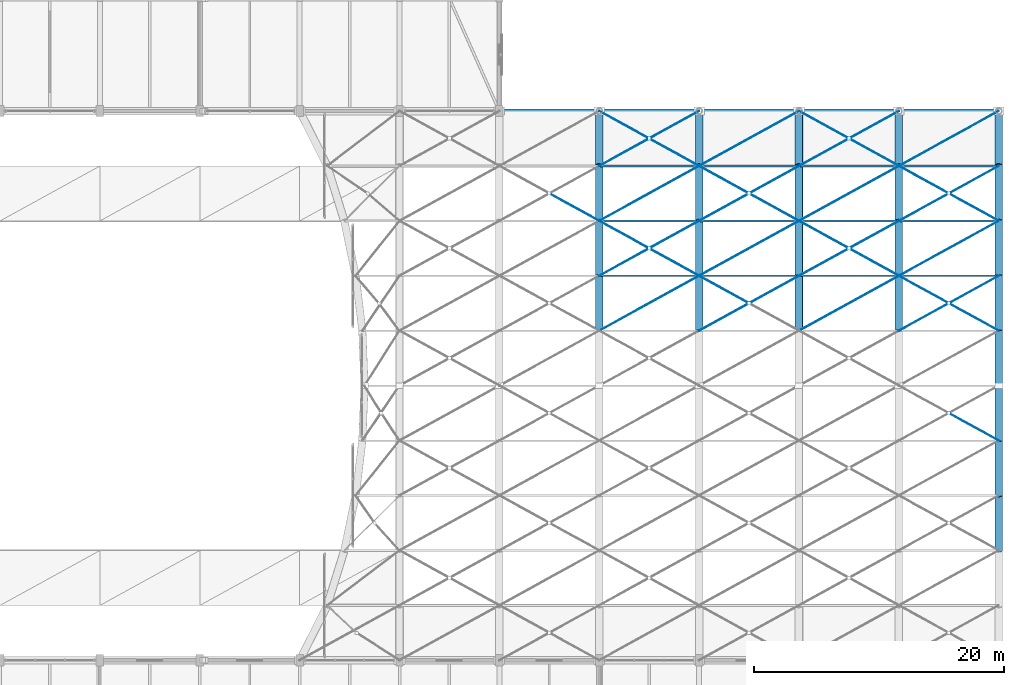
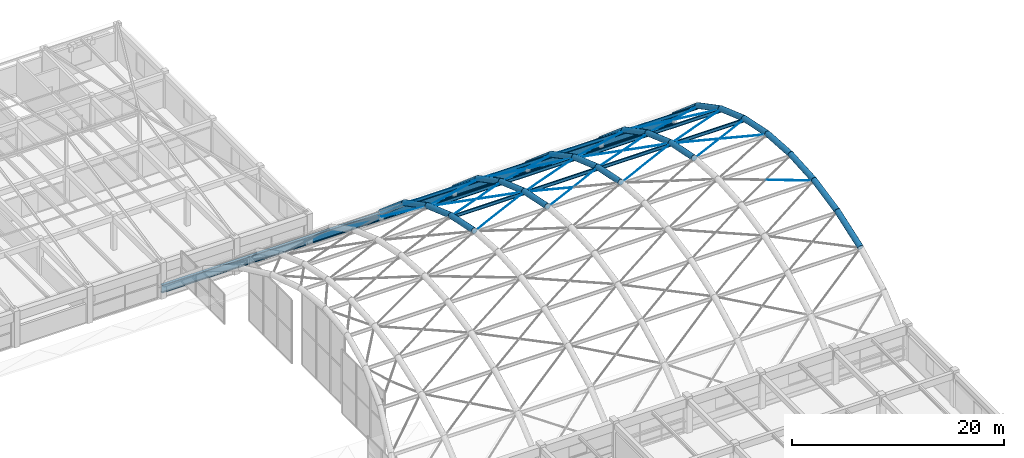
# One storey, part 85 of 126: 37 beams, 33 members.
"""IFC4 building model written with IfcOpenShell, lengths in metres."""

from ifc_helpers import new_model, si_unit, direction, frame, origin, origin_2d, place, context, subcontext, project, spatial, circle, hollow_circle, i_section, extrude, material, material_profile, profile_set, type_object, element, save


model = new_model("IFC4")

# Units and contexts
model_context = context("Model", 3, precision=1e-05, world=origin(), true_north=direction((0.0, 1.0)))
body_context = subcontext(model_context, "Body", "Model", "MODEL_VIEW")
ifc_project = project(units=[si_unit("LENGTHUNIT", "METRE"), si_unit("AREAUNIT", "SQUARE_METRE"), si_unit("VOLUMEUNIT", "CUBIC_METRE"), si_unit("PLANEANGLEUNIT", "RADIAN"), si_unit("MASSUNIT", "GRAM", prefix="KILO")], contexts=[model_context])

# Site, building, storey
site_placement = place(None, origin())
site = spatial("IfcSite", under=ifc_project, at=site_placement, CompositionType="ELEMENT")
building_placement = place(site_placement, origin())
building = spatial("IfcBuilding", under=site, at=building_placement, Name="Varnabhumi Central Station", CompositionType="ELEMENT")
storey_placement = place(building_placement, frame((0.0, 0.0, 16.199951171875)))
storey = spatial("IfcBuildingStorey", under=building, at=storey_placement, Name="L03", CompositionType="ELEMENT", Elevation=16.199951171875)

# Beams
ifc_material_1 = material(Name="Structural steel E450", Category="steel")
ifc_material_profile_1 = material_profile(ifc_material_1, hollow_circle(Radius=0.304931640625, WallThickness=0.02490234375, at=origin_2d()), Name="Structural steel E450", Category="steel")
ifc_profile_set_1 = profile_set([ifc_material_profile_1], Name="Structural steel E450")
beam_type_1 = type_object("IfcBeamType", Name="BM-ARCH-CHS610", PredefinedType="BEAM", material=ifc_profile_set_1)
beam_1_placement = place(storey_placement, frame((152.0, 62.39990234375, 9.85302734375), z_axis=(0.0, 0.979624368007, -0.200838486367), x_axis=(-1.0, 0.0, 0.0)))
element("IfcBeam", 1, at=beam_1_placement, inside=storey, type_object=beam_type_1, Name="Platform Train-Shed Vault Arch Rib 4 Seg 7", PredefinedType="BEAM", context=body_context, shape_type="SweptSolid", body=[
    extrude(hollow_circle(Radius=0.304931640625, WallThickness=0.02490234375, at=origin_2d()), origin(), (0.0, 0.0, 1.0), 4.49169921875),
])
beam_2_placement = place(storey_placement, frame((152.0, 66.800048828125, 8.950927734375), z_axis=(0.0, 0.943395522007, -0.331669849486), x_axis=(-1.0, 0.0, 0.0)))
element("IfcBeam", 2, at=beam_2_placement, inside=storey, type_object=beam_type_1, Name="Platform Train-Shed Vault Arch Rib 4 Seg 8", PredefinedType="BEAM", context=body_context, shape_type="SweptSolid", body=[
    extrude(hollow_circle(Radius=0.304931640625, WallThickness=0.02490234375, at=origin_2d()), origin(), (0.0, 0.0, 1.0), 4.663818359375),
])
beam_3_placement = place(storey_placement, frame((152.0, 71.199951171875, 7.404052734375), z_axis=(0.0, 0.88562177592, -0.464407224337), x_axis=(-1.0, 0.0, 0.0)))
element("IfcBeam", 3, at=beam_3_placement, inside=storey, type_object=beam_type_1, Name="Platform Train-Shed Vault Arch Rib 4 Seg 9", PredefinedType="BEAM", context=body_context, shape_type="SweptSolid", body=[
    extrude(hollow_circle(Radius=0.304931640625, WallThickness=0.02490234375, at=origin_2d()), origin(), (0.0, 0.0, 1.0), 4.968505859375),
])
beam_4_placement = place(storey_placement, frame((152.0, 75.60009765625, 5.0966796875), z_axis=(0.0, 0.761369888875, -0.648317740244), x_axis=(-1.0, 0.0, 0.0)))
element("IfcBeam", 4, at=beam_4_placement, inside=storey, type_object=beam_type_1, Name="Platform Train-Shed Vault Arch Rib 4 Seg 10", PredefinedType="BEAM", context=body_context, shape_type="SweptSolid", body=[
    extrude(hollow_circle(Radius=0.304931640625, WallThickness=0.02490234375, at=origin_2d()), origin(), (0.0, 0.0, 1.0), 5.77880859375),
])
beam_5_placement = place(storey_placement, frame((160.0, 62.39990234375, 9.85302734375), z_axis=(0.0, 0.979624368007, -0.200838486367), x_axis=(-1.0, 0.0, 0.0)))
element("IfcBeam", 5, at=beam_5_placement, inside=storey, type_object=beam_type_1, Name="Platform Train-Shed Vault Arch Rib 5 Seg 7", PredefinedType="BEAM", context=body_context, shape_type="SweptSolid", body=[
    extrude(hollow_circle(Radius=0.304931640625, WallThickness=0.02490234375, at=origin_2d()), origin(), (0.0, 0.0, 1.0), 4.49169921875),
])
beam_6_placement = place(storey_placement, frame((160.0, 66.800048828125, 8.950927734375), z_axis=(0.0, 0.943395522007, -0.331669849486), x_axis=(-1.0, 0.0, 0.0)))
element("IfcBeam", 6, at=beam_6_placement, inside=storey, type_object=beam_type_1, Name="Platform Train-Shed Vault Arch Rib 5 Seg 8", PredefinedType="BEAM", context=body_context, shape_type="SweptSolid", body=[
    extrude(hollow_circle(Radius=0.304931640625, WallThickness=0.02490234375, at=origin_2d()), origin(), (0.0, 0.0, 1.0), 4.663818359375),
])
beam_7_placement = place(storey_placement, frame((160.0, 71.199951171875, 7.404052734375), z_axis=(0.0, 0.88562177592, -0.464407224337), x_axis=(-1.0, 0.0, 0.0)))
element("IfcBeam", 7, at=beam_7_placement, inside=storey, type_object=beam_type_1, Name="Platform Train-Shed Vault Arch Rib 5 Seg 9", PredefinedType="BEAM", context=body_context, shape_type="SweptSolid", body=[
    extrude(hollow_circle(Radius=0.304931640625, WallThickness=0.02490234375, at=origin_2d()), origin(), (0.0, 0.0, 1.0), 4.968505859375),
])
beam_8_placement = place(storey_placement, frame((160.0, 75.60009765625, 5.0966796875), z_axis=(0.0, 0.761369888875, -0.648317740244), x_axis=(-1.0, 0.0, 0.0)))
element("IfcBeam", 8, at=beam_8_placement, inside=storey, type_object=beam_type_1, Name="Platform Train-Shed Vault Arch Rib 5 Seg 10", PredefinedType="BEAM", context=body_context, shape_type="SweptSolid", body=[
    extrude(hollow_circle(Radius=0.304931640625, WallThickness=0.02490234375, at=origin_2d()), origin(), (0.0, 0.0, 1.0), 5.77880859375),
])
beam_9_placement = place(storey_placement, frame((168.0, 62.39990234375, 9.85302734375), z_axis=(0.0, 0.979624368007, -0.200838486367), x_axis=(-1.0, 0.0, 0.0)))
element("IfcBeam", 9, at=beam_9_placement, inside=storey, type_object=beam_type_1, Name="Platform Train-Shed Vault Arch Rib 6 Seg 7", PredefinedType="BEAM", context=body_context, shape_type="SweptSolid", body=[
    extrude(hollow_circle(Radius=0.304931640625, WallThickness=0.02490234375, at=origin_2d()), origin(), (0.0, 0.0, 1.0), 4.49169921875),
])
beam_10_placement = place(storey_placement, frame((168.0, 66.800048828125, 8.950927734375), z_axis=(0.0, 0.943395522007, -0.331669849486), x_axis=(-1.0, 0.0, 0.0)))
element("IfcBeam", 10, at=beam_10_placement, inside=storey, type_object=beam_type_1, Name="Platform Train-Shed Vault Arch Rib 6 Seg 8", PredefinedType="BEAM", context=body_context, shape_type="SweptSolid", body=[
    extrude(hollow_circle(Radius=0.304931640625, WallThickness=0.02490234375, at=origin_2d()), origin(), (0.0, 0.0, 1.0), 4.663818359375),
])
beam_11_placement = place(storey_placement, frame((168.0, 71.199951171875, 7.404052734375), z_axis=(0.0, 0.88562177592, -0.464407224337), x_axis=(-1.0, 0.0, 0.0)))
element("IfcBeam", 11, at=beam_11_placement, inside=storey, type_object=beam_type_1, Name="Platform Train-Shed Vault Arch Rib 6 Seg 9", PredefinedType="BEAM", context=body_context, shape_type="SweptSolid", body=[
    extrude(hollow_circle(Radius=0.304931640625, WallThickness=0.02490234375, at=origin_2d()), origin(), (0.0, 0.0, 1.0), 4.968505859375),
])
beam_12_placement = place(storey_placement, frame((168.0, 75.60009765625, 5.0966796875), z_axis=(0.0, 0.761369888875, -0.648317740244), x_axis=(-1.0, 0.0, 0.0)))
element("IfcBeam", 12, at=beam_12_placement, inside=storey, type_object=beam_type_1, Name="Platform Train-Shed Vault Arch Rib 6 Seg 10", PredefinedType="BEAM", context=body_context, shape_type="SweptSolid", body=[
    extrude(hollow_circle(Radius=0.304931640625, WallThickness=0.02490234375, at=origin_2d()), origin(), (0.0, 0.0, 1.0), 5.77880859375),
])
beam_13_placement = place(storey_placement, frame((176.0, 62.39990234375, 9.85302734375), z_axis=(0.0, 0.979624368007, -0.200838486367), x_axis=(-1.0, 0.0, 0.0)))
element("IfcBeam", 13, at=beam_13_placement, inside=storey, type_object=beam_type_1, Name="Platform Train-Shed Vault Arch Rib 7 Seg 7", PredefinedType="BEAM", context=body_context, shape_type="SweptSolid", body=[
    extrude(hollow_circle(Radius=0.304931640625, WallThickness=0.02490234375, at=origin_2d()), origin(), (0.0, 0.0, 1.0), 4.49169921875),
])
beam_14_placement = place(storey_placement, frame((176.0, 66.800048828125, 8.950927734375), z_axis=(0.0, 0.943395522007, -0.331669849486), x_axis=(-1.0, 0.0, 0.0)))
element("IfcBeam", 14, at=beam_14_placement, inside=storey, type_object=beam_type_1, Name="Platform Train-Shed Vault Arch Rib 7 Seg 8", PredefinedType="BEAM", context=body_context, shape_type="SweptSolid", body=[
    extrude(hollow_circle(Radius=0.304931640625, WallThickness=0.02490234375, at=origin_2d()), origin(), (0.0, 0.0, 1.0), 4.663818359375),
])
beam_15_placement = place(storey_placement, frame((176.0, 71.199951171875, 7.404052734375), z_axis=(0.0, 0.88562177592, -0.464407224337), x_axis=(-1.0, 0.0, 0.0)))
element("IfcBeam", 15, at=beam_15_placement, inside=storey, type_object=beam_type_1, Name="Platform Train-Shed Vault Arch Rib 7 Seg 9", PredefinedType="BEAM", context=body_context, shape_type="SweptSolid", body=[
    extrude(hollow_circle(Radius=0.304931640625, WallThickness=0.02490234375, at=origin_2d()), origin(), (0.0, 0.0, 1.0), 4.968505859375),
])
beam_16_placement = place(storey_placement, frame((176.0, 75.60009765625, 5.0966796875), z_axis=(0.0, 0.761369888875, -0.648317740244), x_axis=(-1.0, 0.0, 0.0)))
element("IfcBeam", 16, at=beam_16_placement, inside=storey, type_object=beam_type_1, Name="Platform Train-Shed Vault Arch Rib 7 Seg 10", PredefinedType="BEAM", context=body_context, shape_type="SweptSolid", body=[
    extrude(hollow_circle(Radius=0.304931640625, WallThickness=0.02490234375, at=origin_2d()), origin(), (0.0, 0.0, 1.0), 5.77880859375),
])
beam_17_placement = place(storey_placement, frame((184.0, 44.800048828125, 7.404052734375), z_axis=(0.0, 0.943395522007, 0.331669849486), x_axis=(-1.0, 0.0, 0.0)))
element("IfcBeam", 17, at=beam_17_placement, inside=storey, type_object=beam_type_1, Name="Platform Train-Shed Vault Arch Rib 8 Seg 3", PredefinedType="BEAM", context=body_context, shape_type="SweptSolid", body=[
    extrude(hollow_circle(Radius=0.304931640625, WallThickness=0.02490234375, at=origin_2d()), origin(), (0.0, 0.0, 1.0), 4.663818359375),
])
beam_18_placement = place(storey_placement, frame((184.0, 49.199951171875, 8.950927734375), z_axis=(0.0, 0.979624368007, 0.200838486367), x_axis=(-1.0, 0.0, 0.0)))
element("IfcBeam", 18, at=beam_18_placement, inside=storey, type_object=beam_type_1, Name="Platform Train-Shed Vault Arch Rib 8 Seg 4", PredefinedType="BEAM", context=body_context, shape_type="SweptSolid", body=[
    extrude(hollow_circle(Radius=0.304931640625, WallThickness=0.02490234375, at=origin_2d()), origin(), (0.0, 0.0, 1.0), 4.49169921875),
])
for number, where, z_axis, x_axis, name in (
    (19, (184.0, 53.60009765625, 9.85302734375), (0.0, 0.997727714155, 0.067375131957), (-1.0, 0.0, 0.0), "Platform Train-Shed Vault Arch Rib 8 Seg 5"),
    (20, (184.0, 58.0, 10.150146484375), (0.0, 0.997727714155, -0.067375131957), (-1.0, 0.0, 0.0), "Platform Train-Shed Vault Arch Rib 8 Seg 6"),
):
    element("IfcBeam", number, at=place(storey_placement, frame(where, z_axis=z_axis, x_axis=x_axis)), inside=storey, type_object=beam_type_1, Name=name, PredefinedType="BEAM", context=body_context, shape_type="SweptSolid", body=[
        extrude(hollow_circle(Radius=0.304931640625, WallThickness=0.02490234375, at=origin_2d()), origin(), (0.0, 0.0, 1.0), 4.409912109375),
    ])
beam_19_placement = place(storey_placement, frame((184.0, 62.39990234375, 9.85302734375), z_axis=(0.0, 0.979624368007, -0.200838486367), x_axis=(-1.0, 0.0, 0.0)))
element("IfcBeam", 21, at=beam_19_placement, inside=storey, type_object=beam_type_1, Name="Platform Train-Shed Vault Arch Rib 8 Seg 7", PredefinedType="BEAM", context=body_context, shape_type="SweptSolid", body=[
    extrude(hollow_circle(Radius=0.304931640625, WallThickness=0.02490234375, at=origin_2d()), origin(), (0.0, 0.0, 1.0), 4.49169921875),
])
beam_20_placement = place(storey_placement, frame((184.0, 66.800048828125, 8.950927734375), z_axis=(0.0, 0.943395522007, -0.331669849486), x_axis=(-1.0, 0.0, 0.0)))
element("IfcBeam", 22, at=beam_20_placement, inside=storey, type_object=beam_type_1, Name="Platform Train-Shed Vault Arch Rib 8 Seg 8", PredefinedType="BEAM", context=body_context, shape_type="SweptSolid", body=[
    extrude(hollow_circle(Radius=0.304931640625, WallThickness=0.02490234375, at=origin_2d()), origin(), (0.0, 0.0, 1.0), 4.663818359375),
])
beam_21_placement = place(storey_placement, frame((184.0, 71.199951171875, 7.404052734375), z_axis=(0.0, 0.88562177592, -0.464407224337), x_axis=(-1.0, 0.0, 0.0)))
element("IfcBeam", 23, at=beam_21_placement, inside=storey, type_object=beam_type_1, Name="Platform Train-Shed Vault Arch Rib 8 Seg 9", PredefinedType="BEAM", context=body_context, shape_type="SweptSolid", body=[
    extrude(hollow_circle(Radius=0.304931640625, WallThickness=0.02490234375, at=origin_2d()), origin(), (0.0, 0.0, 1.0), 4.968505859375),
])
beam_22_placement = place(storey_placement, frame((184.0, 75.60009765625, 5.0966796875), z_axis=(0.0, 0.761369888875, -0.648317740244), x_axis=(-1.0, 0.0, 0.0)))
element("IfcBeam", 24, at=beam_22_placement, inside=storey, type_object=beam_type_1, Name="Platform Train-Shed Vault Arch Rib 8 Seg 10", PredefinedType="BEAM", context=body_context, shape_type="SweptSolid", body=[
    extrude(hollow_circle(Radius=0.304931640625, WallThickness=0.02490234375, at=origin_2d()), origin(), (0.0, 0.0, 1.0), 5.77880859375),
])
ifc_material_profile_2 = material_profile(ifc_material_1, i_section(OverallWidth=0.300048828125, OverallDepth=0.89990234375, WebThickness=0.0185546875, FlangeThickness=0.034912109375, FilletRadius=0.030029296875, at=origin_2d()), Name="Structural steel E450", Category="steel")
ifc_profile_set_2 = profile_set([ifc_material_profile_2], Name="Structural steel E450")
beam_type_2 = type_object("IfcBeamType", Name="BM-CONC-WPB900", PredefinedType="BEAM", material=ifc_profile_set_2)
beam_23_placement = place(storey_placement, frame((128.0, 80.0, 0.91015625), z_axis=(1.0, 0.0, 0.0), x_axis=(0.0, 1.0, 0.0)))
element("IfcBeam", 25, at=beam_23_placement, inside=storey, type_object=beam_type_2, Name="Platform Train-Shed Vault Compression Ring Beam N", PredefinedType="BEAM", context=body_context, shape_type="SweptSolid", body=[
    extrude(i_section(OverallWidth=0.300048828125, OverallDepth=0.89990234375, WebThickness=0.0185546875, FlangeThickness=0.034912109375, FilletRadius=0.030029296875, at=origin_2d()), origin(), (0.0, 0.0, 1.0), 56.0),
])
ifc_material_2 = material(Name="Structural steel E350", Category="steel")
ifc_material_profile_3 = material_profile(ifc_material_2, i_section(OverallWidth=0.139892578125, OverallDepth=0.39990234375, WebThickness=0.0087890625, FlangeThickness=0.01611328125, FilletRadius=0.013916015625, at=origin_2d()), Name="Structural steel E350", Category="steel")
ifc_profile_set_3 = profile_set([ifc_material_profile_3], Name="Structural steel E350")
beam_type_3 = type_object("IfcBeamType", Name="BM-PUR-ISMB400", PredefinedType="LINTEL", material=ifc_profile_set_3)
for number, where, z_axis, x_axis, name in (
    (26, (152.0, 66.800048828125, 8.7509765625), (1.0, 0.0, 0.0), (0.0, 1.0, 0.0), "Platform Train-Shed Vault Purlin B4-L7"),
    (27, (152.0, 71.199951171875, 7.203857421875), (1.0, 0.0, 0.0), (0.0, 1.0, 0.0), "Platform Train-Shed Vault Purlin B4-L8"),
    (28, (152.0, 75.60009765625, 4.896728515625), (1.0, 0.0, 0.0), (0.0, 1.0, 0.0), "Platform Train-Shed Vault Purlin B4-L9"),
    (29, (160.0, 66.800048828125, 8.7509765625), (1.0, 0.0, 0.0), (0.0, 1.0, 0.0), "Platform Train-Shed Vault Purlin B5-L7"),
    (30, (160.0, 71.199951171875, 7.203857421875), (1.0, 0.0, 0.0), (0.0, 1.0, 0.0), "Platform Train-Shed Vault Purlin B5-L8"),
    (31, (160.0, 75.60009765625, 4.896728515625), (1.0, 0.0, 0.0), (0.0, 1.0, 0.0), "Platform Train-Shed Vault Purlin B5-L9"),
    (32, (168.0, 66.800048828125, 8.7509765625), (1.0, 0.0, 0.0), (0.0, 1.0, 0.0), "Platform Train-Shed Vault Purlin B6-L7"),
    (33, (168.0, 71.199951171875, 7.203857421875), (1.0, 0.0, 0.0), (0.0, 1.0, 0.0), "Platform Train-Shed Vault Purlin B6-L8"),
    (34, (168.0, 75.60009765625, 4.896728515625), (1.0, 0.0, 0.0), (0.0, 1.0, 0.0), "Platform Train-Shed Vault Purlin B6-L9"),
    (35, (176.0, 66.800048828125, 8.7509765625), (1.0, 0.0, 0.0), (0.0, 1.0, 0.0), "Platform Train-Shed Vault Purlin B7-L7"),
    (36, (176.0, 71.199951171875, 7.203857421875), (1.0, 0.0, 0.0), (0.0, 1.0, 0.0), "Platform Train-Shed Vault Purlin B7-L8"),
    (37, (176.0, 75.60009765625, 4.896728515625), (1.0, 0.0, 0.0), (0.0, 1.0, 0.0), "Platform Train-Shed Vault Purlin B7-L9"),
):
    element("IfcBeam", number, at=place(storey_placement, frame(where, z_axis=z_axis, x_axis=x_axis)), inside=storey, type_object=beam_type_3, Name=name, PredefinedType="LINTEL", context=body_context, shape_type="SweptSolid", body=[
        extrude(i_section(OverallWidth=0.139892578125, OverallDepth=0.39990234375, WebThickness=0.0087890625, FlangeThickness=0.01611328125, FilletRadius=0.013916015625, at=origin_2d()), origin(), (0.0, 0.0, 1.0), 8.0),
    ])

# Members
ifc_material_3 = material(Name="Spiral-strand steel S1570", Category="steel")
ifc_material_profile_4 = material_profile(ifc_material_3, circle(Radius=0.030029296875, at=origin_2d()), Name="Spiral-strand steel S1570", Category="steel")
ifc_profile_set_4 = profile_set([ifc_material_profile_4], Name="Spiral-strand steel S1570")
member_type = type_object("IfcMemberType", Name="MBR-CABLE-D60", PredefinedType="USERDEFINED", material=ifc_profile_set_4)
member_1_placement = place(storey_placement, frame((148.0, 73.39990234375, 6.17041015625), z_axis=(0.849517413756, -0.46722420748, 0.244993272705), x_axis=(0.481910537812, 0.876220425204, 0.0)))
element("IfcMember", 38, at=member_1_placement, inside=storey, type_object=member_type, Name="Platform Train-Shed Vault Cable-Net Split Tie B3-P9B2", ObjectType="TENSION CABLE", PredefinedType="USERDEFINED", context=body_context, shape_type="SweptSolid", body=[
    extrude(circle(Radius=0.030029296875, at=origin_2d()), origin(), (0.0, 0.0, 1.0), 4.70849609375),
])
member_2_placement = place(storey_placement, frame((152.0, 62.39990234375, 9.77294921875), z_axis=(0.871963360953, 0.47959581465, -0.098324725913), x_axis=(-0.481931067474, 0.876209133828, 0.0)))
element("IfcMember", 39, at=member_2_placement, inside=storey, type_object=member_type, Name="Platform Train-Shed Vault Cable-Net Tie B4-P7A", ObjectType="TENSION CABLE", PredefinedType="USERDEFINED", context=body_context, shape_type="SweptSolid", body=[
    extrude(circle(Radius=0.030029296875, at=origin_2d()), origin(), (0.0, 0.0, 1.0), 9.1748046875),
])
member_3_placement = place(storey_placement, frame((152.0, 66.800048828125, 8.870849609375), z_axis=(0.863908907652, 0.475139353446, -0.167044886441), x_axis=(-0.481910537812, 0.876220425204, 0.0)))
element("IfcMember", 40, at=member_3_placement, inside=storey, type_object=member_type, Name="Platform Train-Shed Vault Cable-Net Tie B4-P8A", ObjectType="TENSION CABLE", PredefinedType="USERDEFINED", context=body_context, shape_type="SweptSolid", body=[
    extrude(circle(Radius=0.030029296875, at=origin_2d()), origin(), (0.0, 0.0, 1.0), 9.26025390625),
])
for number, where, z_axis, x_axis, name in (
    (41, (152.0, 71.199951171875, 7.323974609375), (0.863908907652, -0.475139353446, 0.167044886441), (0.481910537812, 0.876220425204, 0.0), "Platform Train-Shed Vault Cable-Net Split Tie B4-P8B1"),
    (42, (156.0, 69.0, 8.097412109375), (0.863908907652, -0.475139353446, 0.167044886441), (0.481910537812, 0.876220425204, 0.0), "Platform Train-Shed Vault Cable-Net Split Tie B4-P8B2"),
):
    element("IfcMember", number, at=place(storey_placement, frame(where, z_axis=z_axis, x_axis=x_axis)), inside=storey, type_object=member_type, Name=name, ObjectType="TENSION CABLE", PredefinedType="USERDEFINED", context=body_context, shape_type="SweptSolid", body=[
        extrude(circle(Radius=0.030029296875, at=origin_2d()), origin(), (0.0, 0.0, 1.0), 4.630126953125),
    ])
member_4_placement = place(storey_placement, frame((152.0, 71.199951171875, 7.323974609375), z_axis=(0.849501727798, 0.46724150513, -0.245014673749), x_axis=(-0.481931067474, 0.876209133828, 0.0)))
element("IfcMember", 43, at=member_4_placement, inside=storey, type_object=member_type, Name="Platform Train-Shed Vault Cable-Net Tie B4-P9A", ObjectType="TENSION CABLE", PredefinedType="USERDEFINED", context=body_context, shape_type="SweptSolid", body=[
    extrude(circle(Radius=0.030029296875, at=origin_2d()), origin(), (0.0, 0.0, 1.0), 9.417236328125),
])
member_5_placement = place(storey_placement, frame((152.0, 75.60009765625, 5.0166015625), z_axis=(0.810623868746, 0.4458332325, -0.379633602593), x_axis=(-0.481910537812, 0.876220425204, 0.0)))
element("IfcMember", 44, at=member_5_placement, inside=storey, type_object=member_type, Name="Platform Train-Shed Vault Cable-Net Tie B4-P10A", ObjectType="TENSION CABLE", PredefinedType="USERDEFINED", context=body_context, shape_type="SweptSolid", body=[
    extrude(circle(Radius=0.030029296875, at=origin_2d()), origin(), (0.0, 0.0, 1.0), 9.868896484375),
])
for number, where, z_axis, x_axis, name in (
    (45, (152.0, 80.0, 1.27001953125), (0.810623868746, -0.4458332325, 0.379633602593), (0.481910537812, 0.876220425204, 0.0), "Platform Train-Shed Vault Cable-Net Split Tie B4-P10B1"),
    (46, (156.0, 77.800048828125, 3.143310546875), (0.810623868746, -0.4458332325, 0.379633602593), (0.481910537812, 0.876220425204, 0.0), "Platform Train-Shed Vault Cable-Net Split Tie B4-P10B2"),
):
    element("IfcMember", number, at=place(storey_placement, frame(where, z_axis=z_axis, x_axis=x_axis)), inside=storey, type_object=member_type, Name=name, ObjectType="TENSION CABLE", PredefinedType="USERDEFINED", context=body_context, shape_type="SweptSolid", body=[
        extrude(circle(Radius=0.030029296875, at=origin_2d()), origin(), (0.0, 0.0, 1.0), 4.9345703125),
    ])
member_6_placement = place(storey_placement, frame((160.0, 62.39990234375, 9.77294921875), z_axis=(0.871963360953, 0.47959581465, -0.098324725913), x_axis=(-0.481931067474, 0.876209133828, 0.0)))
element("IfcMember", 47, at=member_6_placement, inside=storey, type_object=member_type, Name="Platform Train-Shed Vault Cable-Net Tie B5-P7A", ObjectType="TENSION CABLE", PredefinedType="USERDEFINED", context=body_context, shape_type="SweptSolid", body=[
    extrude(circle(Radius=0.030029296875, at=origin_2d()), origin(), (0.0, 0.0, 1.0), 9.1748046875),
])
member_7_placement = place(storey_placement, frame((160.0, 66.800048828125, 8.870849609375), z_axis=(0.871972207152, -0.479574069742, 0.098352333912), x_axis=(0.481910537812, 0.876220425204, 0.0)))
element("IfcMember", 48, at=member_7_placement, inside=storey, type_object=member_type, Name="Platform Train-Shed Vault Cable-Net Split Tie B5-P7B1", ObjectType="TENSION CABLE", PredefinedType="USERDEFINED", context=body_context, shape_type="SweptSolid", body=[
    extrude(circle(Radius=0.030029296875, at=origin_2d()), origin(), (0.0, 0.0, 1.0), 4.58740234375),
])
member_8_placement = place(storey_placement, frame((160.0, 66.800048828125, 8.870849609375), z_axis=(0.863908907652, 0.475139353446, -0.167044886441), x_axis=(-0.481910537812, 0.876220425204, 0.0)))
element("IfcMember", 49, at=member_8_placement, inside=storey, type_object=member_type, Name="Platform Train-Shed Vault Cable-Net Tie B5-P8A", ObjectType="TENSION CABLE", PredefinedType="USERDEFINED", context=body_context, shape_type="SweptSolid", body=[
    extrude(circle(Radius=0.030029296875, at=origin_2d()), origin(), (0.0, 0.0, 1.0), 9.26025390625),
])
member_9_placement = place(storey_placement, frame((160.0, 71.199951171875, 7.323974609375), z_axis=(0.849501727798, 0.46724150513, -0.245014673749), x_axis=(-0.481931067474, 0.876209133828, 0.0)))
element("IfcMember", 50, at=member_9_placement, inside=storey, type_object=member_type, Name="Platform Train-Shed Vault Cable-Net Tie B5-P9A", ObjectType="TENSION CABLE", PredefinedType="USERDEFINED", context=body_context, shape_type="SweptSolid", body=[
    extrude(circle(Radius=0.030029296875, at=origin_2d()), origin(), (0.0, 0.0, 1.0), 9.417236328125),
])
member_10_placement = place(storey_placement, frame((160.0, 75.60009765625, 5.0166015625), z_axis=(0.849486041567, -0.467258801672, 0.245036073758), x_axis=(0.481951596342, 0.876197842262, 0.0)))
element("IfcMember", 51, at=member_10_placement, inside=storey, type_object=member_type, Name="Platform Train-Shed Vault Cable-Net Split Tie B5-P9B1", ObjectType="TENSION CABLE", PredefinedType="USERDEFINED", context=body_context, shape_type="SweptSolid", body=[
    extrude(circle(Radius=0.030029296875, at=origin_2d()), origin(), (0.0, 0.0, 1.0), 4.708740234375),
])
member_11_placement = place(storey_placement, frame((164.0, 73.39990234375, 6.17041015625), z_axis=(0.849517413756, -0.46722420748, 0.244993272705), x_axis=(0.481910537812, 0.876220425204, 0.0)))
element("IfcMember", 52, at=member_11_placement, inside=storey, type_object=member_type, Name="Platform Train-Shed Vault Cable-Net Split Tie B5-P9B2", ObjectType="TENSION CABLE", PredefinedType="USERDEFINED", context=body_context, shape_type="SweptSolid", body=[
    extrude(circle(Radius=0.030029296875, at=origin_2d()), origin(), (0.0, 0.0, 1.0), 4.70849609375),
])
member_12_placement = place(storey_placement, frame((160.0, 75.60009765625, 5.0166015625), z_axis=(0.810623868746, 0.4458332325, -0.379633602593), x_axis=(-0.481910537812, 0.876220425204, 0.0)))
element("IfcMember", 53, at=member_12_placement, inside=storey, type_object=member_type, Name="Platform Train-Shed Vault Cable-Net Tie B5-P10A", ObjectType="TENSION CABLE", PredefinedType="USERDEFINED", context=body_context, shape_type="SweptSolid", body=[
    extrude(circle(Radius=0.030029296875, at=origin_2d()), origin(), (0.0, 0.0, 1.0), 9.868896484375),
])
member_13_placement = place(storey_placement, frame((168.0, 62.39990234375, 9.77294921875), z_axis=(0.871963360953, 0.47959581465, -0.098324725913), x_axis=(-0.481931067474, 0.876209133828, 0.0)))
element("IfcMember", 54, at=member_13_placement, inside=storey, type_object=member_type, Name="Platform Train-Shed Vault Cable-Net Tie B6-P7A", ObjectType="TENSION CABLE", PredefinedType="USERDEFINED", context=body_context, shape_type="SweptSolid", body=[
    extrude(circle(Radius=0.030029296875, at=origin_2d()), origin(), (0.0, 0.0, 1.0), 9.1748046875),
])
member_14_placement = place(storey_placement, frame((168.0, 66.800048828125, 8.870849609375), z_axis=(0.863908907652, 0.475139353446, -0.167044886441), x_axis=(-0.481910537812, 0.876220425204, 0.0)))
element("IfcMember", 55, at=member_14_placement, inside=storey, type_object=member_type, Name="Platform Train-Shed Vault Cable-Net Tie B6-P8A", ObjectType="TENSION CABLE", PredefinedType="USERDEFINED", context=body_context, shape_type="SweptSolid", body=[
    extrude(circle(Radius=0.030029296875, at=origin_2d()), origin(), (0.0, 0.0, 1.0), 9.26025390625),
])
for number, where, z_axis, x_axis, name in (
    (56, (168.0, 71.199951171875, 7.323974609375), (0.863908907652, -0.475139353446, 0.167044886441), (0.481910537812, 0.876220425204, 0.0), "Platform Train-Shed Vault Cable-Net Split Tie B6-P8B1"),
    (57, (172.0, 69.0, 8.097412109375), (0.863908907652, -0.475139353446, 0.167044886441), (0.481910537812, 0.876220425204, 0.0), "Platform Train-Shed Vault Cable-Net Split Tie B6-P8B2"),
):
    element("IfcMember", number, at=place(storey_placement, frame(where, z_axis=z_axis, x_axis=x_axis)), inside=storey, type_object=member_type, Name=name, ObjectType="TENSION CABLE", PredefinedType="USERDEFINED", context=body_context, shape_type="SweptSolid", body=[
        extrude(circle(Radius=0.030029296875, at=origin_2d()), origin(), (0.0, 0.0, 1.0), 4.630126953125),
    ])
member_15_placement = place(storey_placement, frame((168.0, 71.199951171875, 7.323974609375), z_axis=(0.849501727798, 0.46724150513, -0.245014673749), x_axis=(-0.481931067474, 0.876209133828, 0.0)))
element("IfcMember", 58, at=member_15_placement, inside=storey, type_object=member_type, Name="Platform Train-Shed Vault Cable-Net Tie B6-P9A", ObjectType="TENSION CABLE", PredefinedType="USERDEFINED", context=body_context, shape_type="SweptSolid", body=[
    extrude(circle(Radius=0.030029296875, at=origin_2d()), origin(), (0.0, 0.0, 1.0), 9.417236328125),
])
member_16_placement = place(storey_placement, frame((168.0, 75.60009765625, 5.0166015625), z_axis=(0.810623868746, 0.4458332325, -0.379633602593), x_axis=(-0.481910537812, 0.876220425204, 0.0)))
element("IfcMember", 59, at=member_16_placement, inside=storey, type_object=member_type, Name="Platform Train-Shed Vault Cable-Net Tie B6-P10A", ObjectType="TENSION CABLE", PredefinedType="USERDEFINED", context=body_context, shape_type="SweptSolid", body=[
    extrude(circle(Radius=0.030029296875, at=origin_2d()), origin(), (0.0, 0.0, 1.0), 9.868896484375),
])
for number, where, z_axis, x_axis, name in (
    (60, (168.0, 80.0, 1.27001953125), (0.810623868746, -0.4458332325, 0.379633602593), (0.481910537812, 0.876220425204, 0.0), "Platform Train-Shed Vault Cable-Net Split Tie B6-P10B1"),
    (61, (172.0, 77.800048828125, 3.143310546875), (0.810623868746, -0.4458332325, 0.379633602593), (0.481910537812, 0.876220425204, 0.0), "Platform Train-Shed Vault Cable-Net Split Tie B6-P10B2"),
):
    element("IfcMember", number, at=place(storey_placement, frame(where, z_axis=z_axis, x_axis=x_axis)), inside=storey, type_object=member_type, Name=name, ObjectType="TENSION CABLE", PredefinedType="USERDEFINED", context=body_context, shape_type="SweptSolid", body=[
        extrude(circle(Radius=0.030029296875, at=origin_2d()), origin(), (0.0, 0.0, 1.0), 4.9345703125),
    ])
member_17_placement = place(storey_placement, frame((180.0, 55.800048828125, 9.92138671875), z_axis=(0.87575758275, -0.481655980113, -0.032498816547), x_axis=(0.481910537812, 0.876220425204, 0.0)))
element("IfcMember", 62, at=member_17_placement, inside=storey, type_object=member_type, Name="Platform Train-Shed Vault Cable-Net Split Tie B7-P5B2", ObjectType="TENSION CABLE", PredefinedType="USERDEFINED", context=body_context, shape_type="SweptSolid", body=[
    extrude(circle(Radius=0.030029296875, at=origin_2d()), origin(), (0.0, 0.0, 1.0), 4.5673828125),
])
member_18_placement = place(storey_placement, frame((176.0, 62.39990234375, 9.77294921875), z_axis=(0.871963360953, 0.47959581465, -0.098324725913), x_axis=(-0.481931067474, 0.876209133828, 0.0)))
element("IfcMember", 63, at=member_18_placement, inside=storey, type_object=member_type, Name="Platform Train-Shed Vault Cable-Net Tie B7-P7A", ObjectType="TENSION CABLE", PredefinedType="USERDEFINED", context=body_context, shape_type="SweptSolid", body=[
    extrude(circle(Radius=0.030029296875, at=origin_2d()), origin(), (0.0, 0.0, 1.0), 9.1748046875),
])
for number, where, z_axis, x_axis, name in (
    (64, (176.0, 66.800048828125, 8.870849609375), (0.871972207152, -0.479574069742, 0.098352333912), (0.481910537812, 0.876220425204, 0.0), "Platform Train-Shed Vault Cable-Net Split Tie B7-P7B1"),
    (65, (180.0, 64.60009765625, 9.322021484375), (0.871954513788, -0.479617558487, 0.098297118345), (0.481951596342, 0.876197842262, 0.0), "Platform Train-Shed Vault Cable-Net Split Tie B7-P7B2"),
):
    element("IfcMember", number, at=place(storey_placement, frame(where, z_axis=z_axis, x_axis=x_axis)), inside=storey, type_object=member_type, Name=name, ObjectType="TENSION CABLE", PredefinedType="USERDEFINED", context=body_context, shape_type="SweptSolid", body=[
        extrude(circle(Radius=0.030029296875, at=origin_2d()), origin(), (0.0, 0.0, 1.0), 4.58740234375),
    ])
member_19_placement = place(storey_placement, frame((176.0, 66.800048828125, 8.870849609375), z_axis=(0.863908907652, 0.475139353446, -0.167044886441), x_axis=(-0.481910537812, 0.876220425204, 0.0)))
element("IfcMember", 66, at=member_19_placement, inside=storey, type_object=member_type, Name="Platform Train-Shed Vault Cable-Net Tie B7-P8A", ObjectType="TENSION CABLE", PredefinedType="USERDEFINED", context=body_context, shape_type="SweptSolid", body=[
    extrude(circle(Radius=0.030029296875, at=origin_2d()), origin(), (0.0, 0.0, 1.0), 9.26025390625),
])
member_20_placement = place(storey_placement, frame((176.0, 71.199951171875, 7.323974609375), z_axis=(0.849501727798, 0.46724150513, -0.245014673749), x_axis=(-0.481931067474, 0.876209133828, 0.0)))
element("IfcMember", 67, at=member_20_placement, inside=storey, type_object=member_type, Name="Platform Train-Shed Vault Cable-Net Tie B7-P9A", ObjectType="TENSION CABLE", PredefinedType="USERDEFINED", context=body_context, shape_type="SweptSolid", body=[
    extrude(circle(Radius=0.030029296875, at=origin_2d()), origin(), (0.0, 0.0, 1.0), 9.417236328125),
])
member_21_placement = place(storey_placement, frame((176.0, 75.60009765625, 5.0166015625), z_axis=(0.849486041567, -0.467258801672, 0.245036073758), x_axis=(0.481951596342, 0.876197842262, 0.0)))
element("IfcMember", 68, at=member_21_placement, inside=storey, type_object=member_type, Name="Platform Train-Shed Vault Cable-Net Split Tie B7-P9B1", ObjectType="TENSION CABLE", PredefinedType="USERDEFINED", context=body_context, shape_type="SweptSolid", body=[
    extrude(circle(Radius=0.030029296875, at=origin_2d()), origin(), (0.0, 0.0, 1.0), 4.708740234375),
])
member_22_placement = place(storey_placement, frame((180.0, 73.39990234375, 6.17041015625), z_axis=(0.849517413756, -0.46722420748, 0.244993272705), x_axis=(0.481910537812, 0.876220425204, 0.0)))
element("IfcMember", 69, at=member_22_placement, inside=storey, type_object=member_type, Name="Platform Train-Shed Vault Cable-Net Split Tie B7-P9B2", ObjectType="TENSION CABLE", PredefinedType="USERDEFINED", context=body_context, shape_type="SweptSolid", body=[
    extrude(circle(Radius=0.030029296875, at=origin_2d()), origin(), (0.0, 0.0, 1.0), 4.70849609375),
])
member_23_placement = place(storey_placement, frame((176.0, 75.60009765625, 5.0166015625), z_axis=(0.810623868746, 0.4458332325, -0.379633602593), x_axis=(-0.481910537812, 0.876220425204, 0.0)))
element("IfcMember", 70, at=member_23_placement, inside=storey, type_object=member_type, Name="Platform Train-Shed Vault Cable-Net Tie B7-P10A", ObjectType="TENSION CABLE", PredefinedType="USERDEFINED", context=body_context, shape_type="SweptSolid", body=[
    extrude(circle(Radius=0.030029296875, at=origin_2d()), origin(), (0.0, 0.0, 1.0), 9.868896484375),
])

save(model, "model.ifc")
